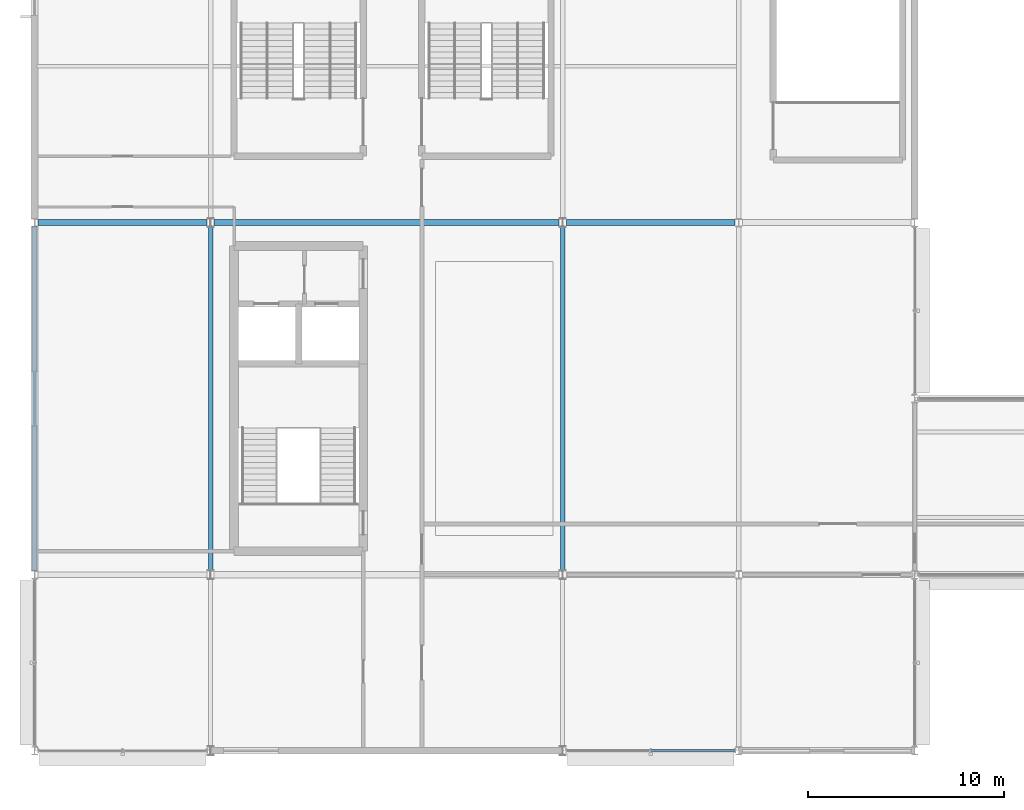
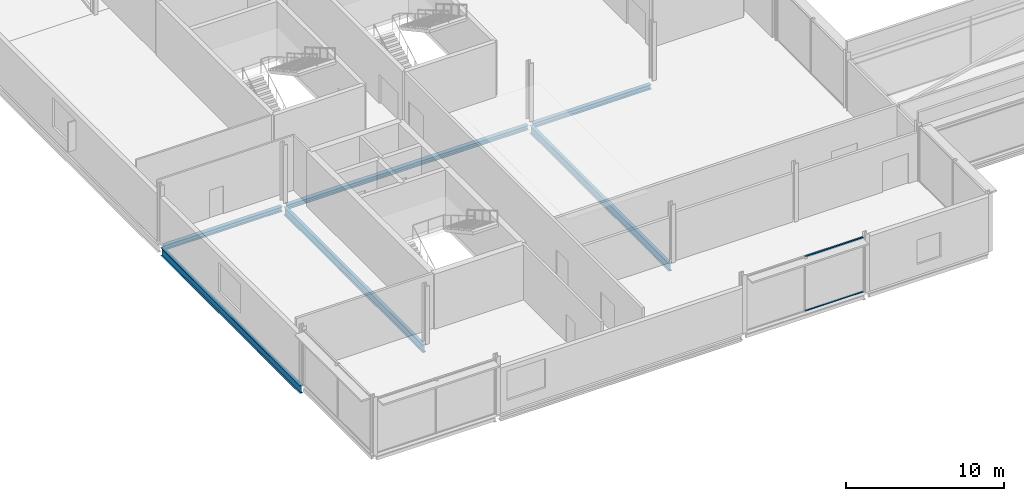
# One storey, part 15 of 73: 6 beams, 2 members, 1 element without a shape of its own.
"""IFC4 building model written with IfcOpenShell, lengths in metres."""

from ifc_helpers import new_model, si_unit, direction, frame, origin, origin_2d, place, context, subcontext, project, spatial, rectangle, i_section, extrude, material, layer, layer_set, material_profile, profile_set, type_object, element, aggregate, save


model = new_model("IFC4")

# Units and contexts
model_context = context("Model", 3, precision=1e-05, world=origin(), true_north=direction((0.0, 1.0)))
body_context = subcontext(model_context, "Body", "Model", "MODEL_VIEW")
ifc_project = project(units=[si_unit("LENGTHUNIT", "METRE"), si_unit("AREAUNIT", "SQUARE_METRE"), si_unit("VOLUMEUNIT", "CUBIC_METRE"), si_unit("PLANEANGLEUNIT", "RADIAN"), si_unit("MASSUNIT", "GRAM", prefix="KILO")], contexts=[model_context])

# Site, building, storey
site_placement = place(None, origin())
site = spatial("IfcSite", under=ifc_project, at=site_placement, CompositionType="ELEMENT")
building_placement = place(site_placement, origin())
building = spatial("IfcBuilding", under=site, at=building_placement, Name="Kisiwana Market Hall", CompositionType="ELEMENT")
storey_placement = place(building_placement, frame((0.0, 0.0, 33.300048828125)))
storey = spatial("IfcBuildingStorey", under=building, at=storey_placement, Name="L07", CompositionType="ELEMENT", Elevation=33.300048828125)

# Beams
ifc_material_1 = material(Name="Steel S355", Category="steel")
ifc_material_profile_1 = material_profile(ifc_material_1, i_section(OverallWidth=0.300048828125, OverallDepth=0.360107421875, WebThickness=0.012451171875, FlangeThickness=0.0224609375, at=origin_2d()), Name="HEB 360")
ifc_profile_set_1 = profile_set([ifc_material_profile_1], Name="Steel S355")
beam_type_1 = type_object("IfcBeamType", Name="BM-GIRD-HEB360", PredefinedType="BEAM", material=ifc_profile_set_1)
for number, where, z_axis, x_axis, name in (
    (1, (0.18115234375, 36.0, -0.4599609375), (1.0, 0.0, 0.0), (0.0, 1.0, 0.0), "Floor beam B-1983"),
    (2, (27.183349609375, 36.0, -0.4599609375), (1.0, 0.0, 0.0), (0.0, 1.0, 0.0), "Floor beam B-1985"),
):
    element("IfcBeam", number, at=place(storey_placement, frame(where, z_axis=z_axis, x_axis=x_axis)), inside=storey, type_object=beam_type_1, Name=name, PredefinedType="BEAM", context=body_context, shape_type="SweptSolid", body=[
        extrude(i_section(OverallWidth=0.300048828125, OverallDepth=0.360107421875, WebThickness=0.012451171875, FlangeThickness=0.0224609375, at=origin_2d()), origin(), (0.0, 0.0, 1.0), 8.635498046875),
    ])
ifc_material_2 = material(Name="Steel S355", Category="steel")
ifc_material_profile_2 = material_profile(ifc_material_2, i_section(OverallWidth=0.22900390625, OverallDepth=0.6123046875, WebThickness=0.011962890625, FlangeThickness=0.01953125, at=origin_2d()), Name="UB 610x229x125")
ifc_profile_set_2 = profile_set([ifc_material_profile_2], Name="Steel S355")
beam_type_2 = type_object("IfcBeamType", Name="BM-GIRD-UB610H", PredefinedType="BEAM", material=ifc_profile_set_2)
beam_1_placement = place(storey_placement, frame((0.0, 18.177001953125, -0.586181640625), z_axis=(0.0, 1.0, 0.0), x_axis=(-1.0, 0.0, 0.0)))
element("IfcBeam", 3, at=beam_1_placement, inside=storey, type_object=beam_type_2, Name="Floor beam B-2030", PredefinedType="BEAM", context=body_context, shape_type="SweptSolid", body=[
    extrude(i_section(OverallWidth=0.22900390625, OverallDepth=0.6123046875, WebThickness=0.011962890625, FlangeThickness=0.01953125, at=origin_2d()), origin(), (0.0, 0.0, 1.0), 17.64599609375),
])
for number, where, z_axis, x_axis, name in (
    (4, (9.0, 18.183349609375, -0.586181640625), (0.0, 1.0, 0.0), (-1.0, 0.0, 0.0), "Primary girder B-1882"),
    (5, (27.0, 18.183349609375, -0.586181640625), (0.0, 1.0, 0.0), (-1.0, 0.0, 0.0), "Primary girder B-1888"),
):
    element("IfcBeam", number, at=place(storey_placement, frame(where, z_axis=z_axis, x_axis=x_axis)), inside=storey, type_object=beam_type_2, Name=name, PredefinedType="BEAM", context=body_context, shape_type="SweptSolid", body=[
        extrude(i_section(OverallWidth=0.22900390625, OverallDepth=0.6123046875, WebThickness=0.011962890625, FlangeThickness=0.01953125, at=origin_2d()), origin(), (0.0, 0.0, 1.0), 17.63330078125),
    ])
ifc_material_3 = material(Name="Steel S355", Category="steel")
ifc_material_profile_3 = material_profile(ifc_material_3, i_section(OverallWidth=0.314453125, OverallDepth=0.33984375, WebThickness=0.01904296875, FlangeThickness=0.031494140625, at=origin_2d()), Name="UC 305x305x198")
ifc_profile_set_3 = profile_set([ifc_material_profile_3], Name="Steel S355")
beam_type_3 = type_object("IfcBeamType", Name="BM-SKYBR-CHORD", PredefinedType="BEAM", material=ifc_profile_set_3)
beam_2_placement = place(storey_placement, frame((9.183349609375, 36.0, -0.449951171875), z_axis=(1.0, 0.0, 0.0), x_axis=(0.0, 1.0, 0.0)))
element("IfcBeam", 6, at=beam_2_placement, inside=storey, type_object=beam_type_3, Name="Floor beam B-1984", PredefinedType="BEAM", context=body_context, shape_type="SweptSolid", body=[
    extrude(i_section(OverallWidth=0.314453125, OverallDepth=0.33984375, WebThickness=0.01904296875, FlangeThickness=0.031494140625, at=origin_2d()), origin(), (0.0, 0.0, 1.0), 17.63330078125),
])

# Curtain wall, members
ifc_material_4 = material(Name="Double-glazed solar-control low-E IGU", Category="glass")
ifc_layer = layer(ifc_material_4, 0.159912109375)
ifc_layer_set = layer_set([ifc_layer], Name="CW-BRG-L07-8200")
curtain_wall_type = type_object("IfcCurtainWallType", Name="CW-BRG-L07-8200", PredefinedType="USERDEFINED", material=ifc_layer_set)
curtain_wall_placement = place(storey_placement, origin())
curtain_wall = element("IfcCurtainWall", 7, at=curtain_wall_placement, inside=storey, type_object=curtain_wall_type, Name="Unitised curtain wall CW-210 (L07)", ObjectType="UNITISED CURTAIN WALL", PredefinedType="USERDEFINED")
ifc_material_5 = material(Name="Aluminium alloy 6063-T6", Category="aluminium")
ifc_material_profile_4 = material_profile(ifc_material_5, rectangle(XDim=0.1201171875, YDim=0.06005859375, at=origin_2d()), Name="ALU TRANSOM 60x120")
ifc_profile_set_4 = profile_set([ifc_material_profile_4], Name="Aluminium alloy 6063-T6")
member_type = type_object("IfcMemberType", Name="CW-TRAN-60x120", PredefinedType="USERDEFINED", material=ifc_profile_set_4)
member_1_placement = place(storey_placement, frame((31.534912109375, 9.0, 0.030029296875), z_axis=(1.0, 0.0, 0.0), x_axis=(0.0, 1.0, 0.0)))
member_1 = element("IfcMember", 8, at=member_1_placement, type_object=member_type, Name="CW-210 transom 2.1", ObjectType="TRANSOM", PredefinedType="USERDEFINED", context=body_context, shape_type="SweptSolid", body=[
    extrude(rectangle(XDim=0.1201171875, YDim=0.06005859375, at=origin_2d()), origin(), (0.0, 0.0, 1.0), 4.2451171875),
])
member_2_placement = place(storey_placement, frame((31.534912109375, 9.0, 4.224853515625), z_axis=(1.0, 0.0, 0.0), x_axis=(0.0, 1.0, 0.0)))
member_2 = element("IfcMember", 9, at=member_2_placement, type_object=member_type, Name="CW-210 transom 2.2", ObjectType="TRANSOM", PredefinedType="USERDEFINED", context=body_context, shape_type="SweptSolid", body=[
    extrude(rectangle(XDim=0.1201171875, YDim=0.06005859375, at=origin_2d()), origin(), (0.0, 0.0, 1.0), 4.2451171875),
])
aggregate(curtain_wall, [member_1, member_2])

save(model, "model.ifc")
